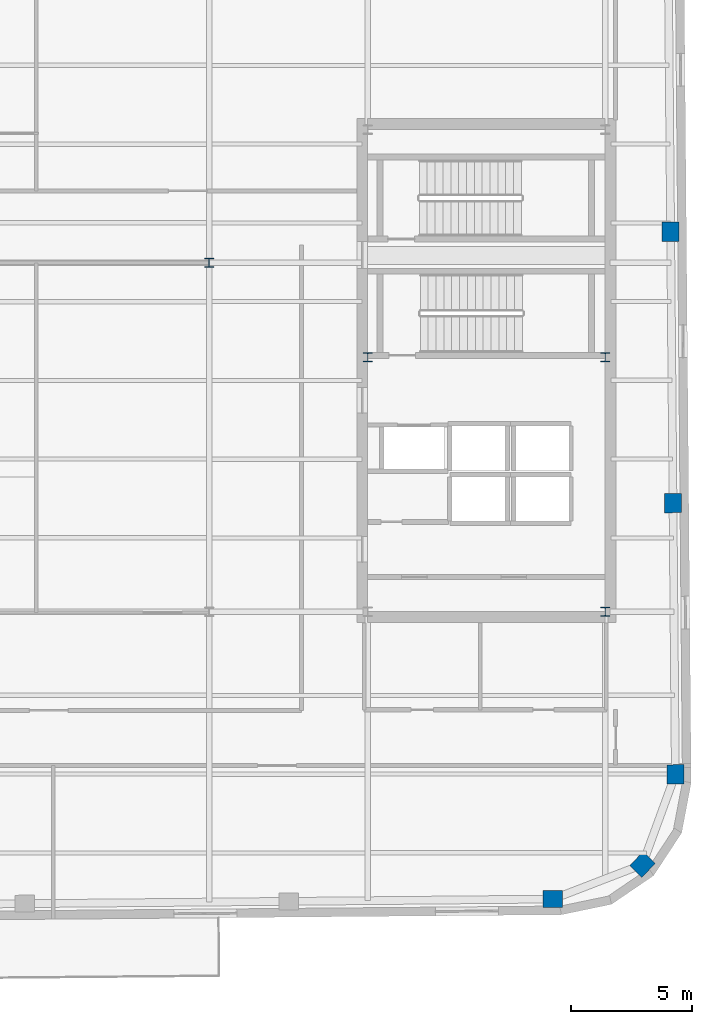
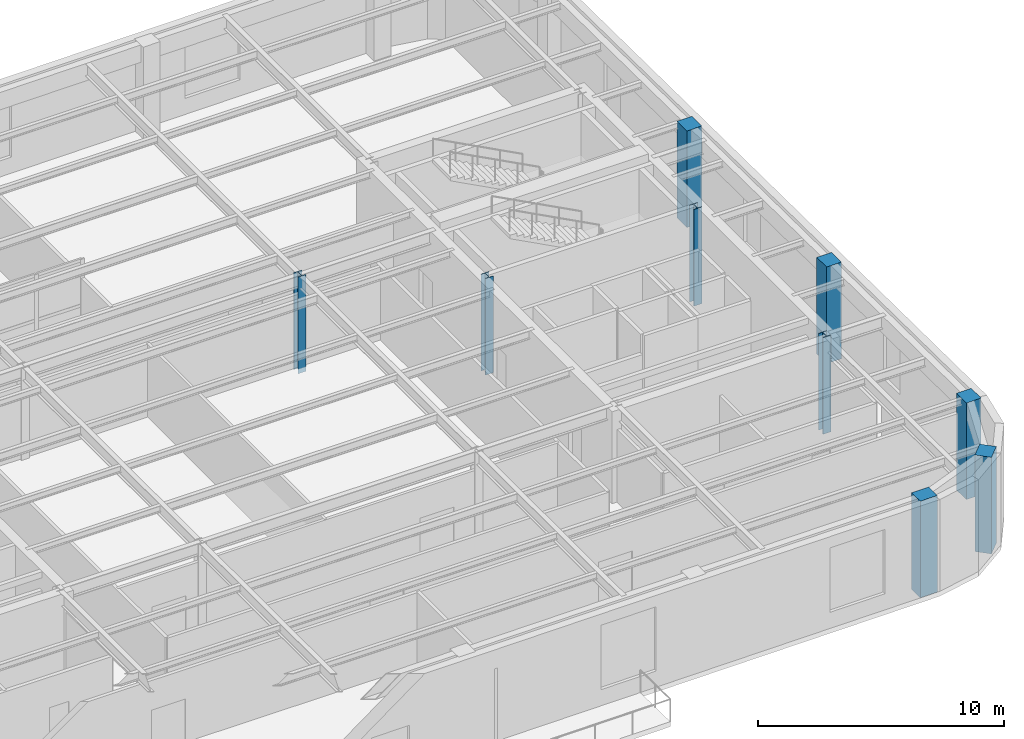
# One storey, part 2 of 13: 9 columns.
"""IFC4 building model written with IfcOpenShell, lengths in metres."""

from ifc_helpers import new_model, si_unit, direction, frame, origin, origin_2d, place, context, subcontext, project, spatial, rectangle, i_section, extrude, material, material_profile, profile_set, type_object, element, save


model = new_model("IFC4")

# Units and contexts
model_context = context("Model", 3, precision=1e-05, world=origin(), true_north=direction((0.0, 1.0)))
body_context = subcontext(model_context, "Body", "Model", "MODEL_VIEW")
ifc_project = project(units=[si_unit("LENGTHUNIT", "METRE"), si_unit("AREAUNIT", "SQUARE_METRE"), si_unit("VOLUMEUNIT", "CUBIC_METRE"), si_unit("PLANEANGLEUNIT", "RADIAN"), si_unit("MASSUNIT", "GRAM", prefix="KILO")], contexts=[model_context])

# Site, building, storey
site_placement = place(None, origin())
site = spatial("IfcSite", under=ifc_project, at=site_placement, CompositionType="ELEMENT")
building_placement = place(site_placement, origin())
building = spatial("IfcBuilding", under=site, at=building_placement, Name="Kolvaren Arena Tower", CompositionType="ELEMENT")
storey_placement = place(building_placement, frame((0.0, 0.0, 312.39990234375)))
storey = spatial("IfcBuildingStorey", under=building, at=storey_placement, Name="L77", CompositionType="ELEMENT", Elevation=312.39990234375)

# Columns
ifc_material_1 = material(Name="Precast concrete C50/60", Category="concrete")
ifc_material_profile_1 = material_profile(ifc_material_1, rectangle(XDim=0.800048828125, YDim=0.699951171875, at=origin_2d()), Name="RC-800x700")
ifc_profile_set_1 = profile_set([ifc_material_profile_1], Name="Precast concrete C50/60")
column_type_1 = type_object("IfcColumnType", Name="EXCOL-Z5", PredefinedType="COLUMN", material=ifc_profile_set_1)
for number, where, z_axis, x_axis, name in (
    (1, (58.190185546875, 7.591064453125, -0.239990234375), (0.0, 0.0, 1.0), (0.999961923064, 0.008726535498, 0.0), "Exoskeleton Perimeter Column 05 (L77)"),
    (2, (61.88671875, 9.0146484375, -0.239990234375), (0.0, 0.0, 1.0), (0.7009092643, 0.713250449154, 0.0), "Exoskeleton Perimeter Column 06 (L77)"),
    (3, (63.24560546875, 12.7353515625, -0.239990234375), (0.0, 0.0, 1.0), (-0.008726535498, 0.999961923064, 0.0), "Exoskeleton Perimeter Column 07 (L77)"),
    (4, (63.147705078125, 23.93505859375, -0.239990234375), (0.0, 0.0, 1.0), (-0.008726535498, 0.999961923064, 0.0), "Exoskeleton Perimeter Column 08 (L77)"),
    (5, (63.050048828125, 35.134521484375, -0.239990234375), (0.0, 0.0, 1.0), (-0.008726535498, 0.999961923064, 0.0), "Exoskeleton Perimeter Column 09 (L77)"),
):
    element("IfcColumn", number, at=place(storey_placement, frame(where, z_axis=z_axis, x_axis=x_axis)), inside=storey, type_object=column_type_1, Name=name, PredefinedType="COLUMN", context=body_context, shape_type="SweptSolid", body=[
        extrude(rectangle(XDim=0.800048828125, YDim=0.699951171875, at=origin_2d()), origin(), (0.0, 0.0, 1.0), 4.800048828125),
    ])
ifc_material_2 = material(Name="Steel ASTM A913 Grade 65", Category="steel")
ifc_material_profile_2 = material_profile(ifc_material_2, i_section(OverallWidth=0.3740234375, OverallDepth=0.3720703125, WebThickness=0.016357421875, FlangeThickness=0.026123046875, FilletRadius=0.02001953125, at=origin_2d()), Name="W360x196")
ifc_profile_set_2 = profile_set([ifc_material_profile_2], Name="Steel ASTM A913 Grade 65")
column_type_2 = type_object("IfcColumnType", Name="SCOL-Z5", PredefinedType="COLUMN", material=ifc_profile_set_2)
for number, where, z_axis, x_axis, name in (
    (6, (60.35009765625, 19.449951171875, -0.239990234375), (0.0, 0.0, 1.0), (1.0, 0.0, 0.0), "Core Boundary Column EC-SE (L77)"),
    (7, (50.550048828125, 29.949951171875, -0.239990234375), (0.0, 0.0, 1.0), (1.0, 0.0, 0.0), "Core Boundary Column EC-MW (L77)"),
    (8, (60.35009765625, 29.949951171875, -0.239990234375), (0.0, 0.0, 1.0), (1.0, 0.0, 0.0), "Core Boundary Column EC-ME (L77)"),
    (9, (44.0, 33.85009765625, -0.239990234375), (0.0, 0.0, 1.0), (1.0, 0.0, 0.0), "Interior Gravity Column TC-NE (L77)"),
):
    element("IfcColumn", number, at=place(storey_placement, frame(where, z_axis=z_axis, x_axis=x_axis)), inside=storey, type_object=column_type_2, Name=name, PredefinedType="COLUMN", context=body_context, shape_type="SweptSolid", body=[
        extrude(i_section(OverallWidth=0.3740234375, OverallDepth=0.3720703125, WebThickness=0.016357421875, FlangeThickness=0.026123046875, FilletRadius=0.02001953125, at=origin_2d()), origin(), (0.0, 0.0, 1.0), 4.800048828125),
    ])

save(model, "model.ifc")
